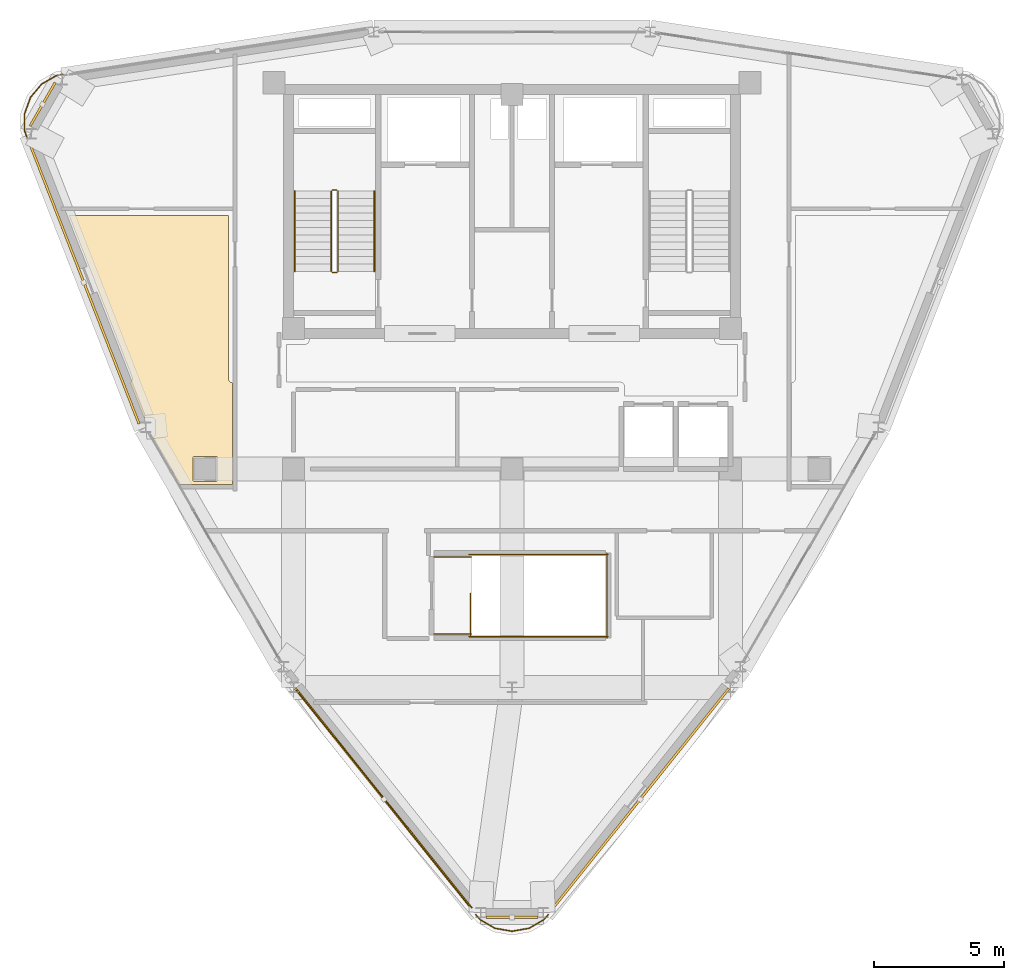
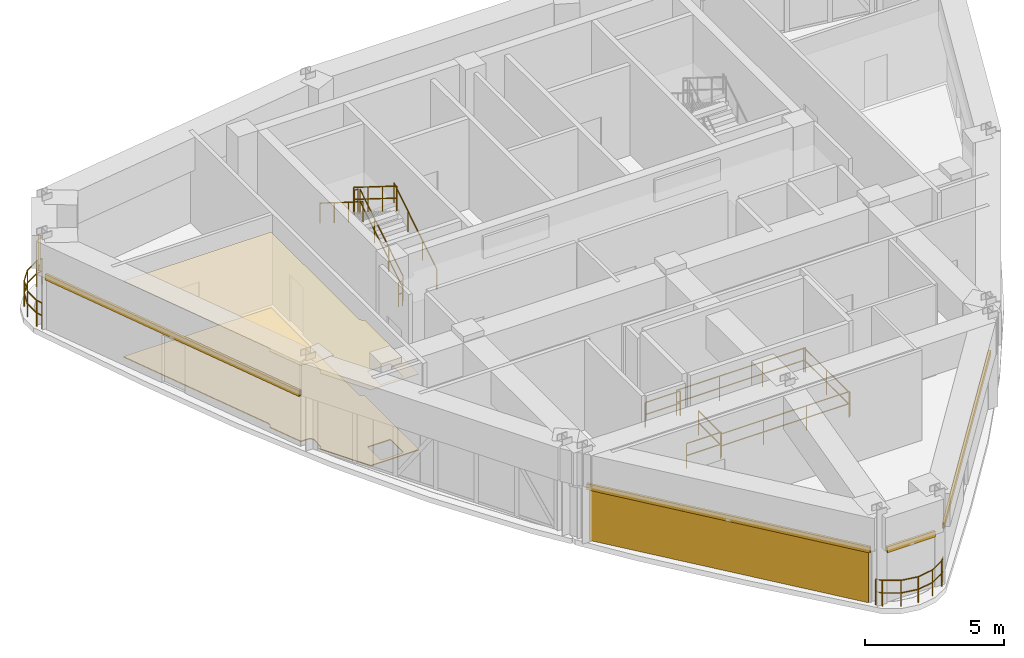
# One storey, part 15 of 16: 15 railings, 5 shading devices, 3 coverings.
"""IFC4 building model written with IfcOpenShell, lengths in metres."""

from ifc_helpers import new_model, si_unit, derived_unit, direction, frame, origin, origin_2d, place, context, subcontext, project, spatial, polyline, hollow_rectangle, circle, outline, extrude, source, transform, mapped, material, layer, layer_set, material_profile, profile_set, type_object, element, save


model = new_model("IFC4")

# Units and contexts
model_context = context("Model", 3, precision=1e-05, world=origin(), true_north=direction((0.0, 1.0)))
body_context = subcontext(model_context, "Body", "Model", "MODEL_VIEW")
ifc_project = project(units=[si_unit("LENGTHUNIT", "METRE"), si_unit("AREAUNIT", "SQUARE_METRE"), si_unit("VOLUMEUNIT", "CUBIC_METRE"), si_unit("PLANEANGLEUNIT", "RADIAN"), si_unit("MASSUNIT", "GRAM", prefix="KILO"), derived_unit("THERMALTRANSMITTANCEUNIT", [(si_unit("POWERUNIT", "WATT"), 1), (si_unit("LENGTHUNIT", "METRE"), -2), (si_unit("THERMODYNAMICTEMPERATUREUNIT", "KELVIN"), -1)])], contexts=[model_context])

# Site, building, storey
site_placement = place(None, origin())
site = spatial("IfcSite", under=ifc_project, at=site_placement, CompositionType="ELEMENT")
building_placement = place(site_placement, origin())
building = spatial("IfcBuilding", under=site, at=building_placement, Name="Korsvarv Bourse and Concert Hall", CompositionType="ELEMENT")
storey_placement = place(building_placement, frame((0.0, 0.0, 288.0)))
storey = spatial("IfcBuildingStorey", under=building, at=storey_placement, Name="L75", CompositionType="ELEMENT", Elevation=288.0)

# Coverings
ifc_material_1 = material(Name="Perforated mineral-wool and birch acoustic baffle ceiling", Category="wood")
ifc_layer_1 = layer(ifc_material_1, 0.02490234375)
ifc_layer_set_1 = layer_set([ifc_layer_1], Name="Perforated mineral-wool and birch acoustic baffle ceiling")
covering_type_1 = type_object("IfcCoveringType", Name="COV-CEIL-1", PredefinedType="CEILING", material=ifc_layer_set_1)
covering_1_placement = place(storey_placement, frame((0.0, 0.0, 3.330078125)))
element("IfcCovering", 1, at=covering_1_placement, inside=storey, type_object=covering_type_1, Name="L75 acoustic baffle ceiling 2", PredefinedType="CEILING", context=body_context, shape_type="SweptSolid", body=[
    extrude(outline(polyline([(21.30908203125, 35.723876953125), (21.337890625, 35.745361328125), (21.362060546875, 35.772216796875), (21.380126953125, 35.802978515625), (21.391845703125, 35.837158203125), (21.396484375, 35.872802734375), (21.393798828125, 35.90869140625), (21.38427734375, 35.943359375), (18.967529296875, 42.14990234375), (25.090087890625, 42.14990234375), (25.090087890625, 35.889892578125), (25.09375, 35.853759765625), (25.1044921875, 35.819091796875), (25.122314453125, 35.787109375), (25.14599609375, 35.759521484375), (25.1748046875, 35.7373046875), (25.20751953125, 35.72119140625), (25.24267578125, 35.712158203125), (25.25, 31.81005859375), (23.32080078125, 31.81005859375), (23.283935546875, 31.80615234375), (23.25, 31.79541015625), (22.192626953125, 33.627197265625), (22.22314453125, 33.64697265625), (22.248046875, 33.671142578125), (22.267578125, 33.69970703125), (22.281494140625, 33.731689453125), (22.2890625, 33.765625), (22.30029296875, 34.19189453125), (22.297607421875, 34.22705078125), (22.288330078125, 34.260986328125), (22.2724609375, 34.29248046875), (22.250732421875, 34.3203125), (22.22412109375, 34.343505859375), (22.193359375, 34.36083984375), (22.159912109375, 34.371826171875), (22.124755859375, 34.376220703125), (21.832763671875, 34.38330078125), (21.30908203125, 35.723876953125)]), holes=[polyline([(23.76513671875, 31.926025390625), (24.625, 31.925048828125), (24.648681640625, 31.930908203125), (24.66650390625, 31.947265625), (24.6748046875, 31.97021484375), (24.675048828125, 32.824951171875), (24.669189453125, 32.8486328125), (24.65283203125, 32.86669921875), (24.6298828125, 32.874755859375), (23.77490234375, 32.875), (23.75146484375, 32.869140625), (23.7333984375, 32.852783203125), (23.72509765625, 32.829833984375), (23.72509765625, 31.97509765625), (23.73095703125, 31.951416015625), (23.76513671875, 31.926025390625)])]), origin(), (0.0, 0.0, 1.0), 0.02490234375),
])
ifc_material_2 = material(Name="Warm iron-oxide extruded terracotta rainscreen tile", Category="ceramic")
ifc_layer_2 = layer(ifc_material_2, 0.044921875)
ifc_layer_set_2 = layer_set([ifc_layer_2], Name="Warm iron-oxide extruded terracotta rainscreen tile")
covering_type_2 = type_object("IfcCoveringType", Name="COV-CLD-TC", PredefinedType="CLADDING", material=ifc_layer_set_2)
covering_2_placement = place(storey_placement, origin())
element("IfcCovering", 2, at=covering_2_placement, inside=storey, type_object=covering_type_2, Name="L75 fluted terracotta cladding panel EW-L75-B08-2", PredefinedType="CLADDING", context=body_context, shape_type="SweptSolid", body=[
    extrude(outline(polyline([(27.750244140625, 23.921875), (34.477783203125, 15.52490234375), (34.442626953125, 15.496826171875), (27.715087890625, 23.8935546875), (27.750244140625, 23.921875)])), origin(), (0.0, 0.0, 1.0), 2.18994140625),
])
ifc_material_3 = material(Name="Calcium-sulphate raised access trading floor with Nordic oak top", Category="wood")
ifc_layer_3 = layer(ifc_material_3, 0.0400390625)
ifc_layer_set_3 = layer_set([ifc_layer_3], Name="Calcium-sulphate raised access trading floor with Nordic oak top")
covering_type_3 = type_object("IfcCoveringType", Name="COV-FLOR-1", PredefinedType="FLOORING", material=ifc_layer_set_3)
covering_3_placement = place(storey_placement, origin())
element("IfcCovering", 3, at=covering_3_placement, inside=storey, type_object=covering_type_3, Name="L75 raised access oak floor finish 2", PredefinedType="FLOORING", context=body_context, shape_type="SweptSolid", body=[
    extrude(outline(polyline([(21.30908203125, 35.723876953125), (21.337890625, 35.745361328125), (21.362060546875, 35.772216796875), (21.380126953125, 35.802978515625), (21.391845703125, 35.837158203125), (21.396484375, 35.872802734375), (21.393798828125, 35.90869140625), (21.38427734375, 35.943359375), (18.967529296875, 42.14990234375), (25.090087890625, 42.14990234375), (25.090087890625, 35.889892578125), (25.09375, 35.853759765625), (25.1044921875, 35.819091796875), (25.122314453125, 35.787109375), (25.14599609375, 35.759521484375), (25.1748046875, 35.7373046875), (25.20751953125, 35.72119140625), (25.24267578125, 35.712158203125), (25.25, 31.81005859375), (23.32080078125, 31.81005859375), (23.283935546875, 31.80615234375), (23.25, 31.79541015625), (22.192626953125, 33.627197265625), (22.22314453125, 33.64697265625), (22.248046875, 33.671142578125), (22.267578125, 33.69970703125), (22.281494140625, 33.731689453125), (22.2890625, 33.765625), (22.30029296875, 34.19189453125), (22.297607421875, 34.22705078125), (22.288330078125, 34.260986328125), (22.2724609375, 34.29248046875), (22.250732421875, 34.3203125), (22.22412109375, 34.343505859375), (22.193359375, 34.36083984375), (22.159912109375, 34.371826171875), (22.124755859375, 34.376220703125), (21.832763671875, 34.38330078125), (21.30908203125, 35.723876953125)]), holes=[polyline([(23.76513671875, 31.926025390625), (24.625, 31.925048828125), (24.648681640625, 31.930908203125), (24.66650390625, 31.947265625), (24.6748046875, 31.97021484375), (24.675048828125, 32.824951171875), (24.669189453125, 32.8486328125), (24.65283203125, 32.86669921875), (24.6298828125, 32.874755859375), (23.77490234375, 32.875), (23.75146484375, 32.869140625), (23.7333984375, 32.852783203125), (23.72509765625, 32.829833984375), (23.72509765625, 31.97509765625), (23.73095703125, 31.951416015625), (23.76513671875, 31.926025390625)])]), origin(), (0.0, 0.0, 1.0), 0.0400390625),
])

# Railings
ifc_material_4 = material(Name="Laminated safety glass and stainless Steel S355 balustrade", Category="steel")
railing_type_1 = type_object("IfcRailingType", Name="RL-BAL-EXT", PredefinedType="BALUSTRADE", material=ifc_material_4)
railing_1_placement = place(storey_placement, frame((17.25732421875, 46.06396484375, 0.0)))
element("IfcRailing", 4, at=railing_1_placement, inside=storey, type_object=railing_type_1, Name="L75 terrace perimeter balustrade SKYG1-1", PredefinedType="BALUSTRADE", context=body_context, shape_type="SweptSolid", body=[
    extrude(circle(Radius=0.02392578125, at=origin_2d()), frame((0.0, 0.0, 1.1259765625), z_axis=(0.342184740567, 0.939632695963, 0.0), x_axis=(-0.939632695963, 0.342184740567, 0.0)), (0.0, 0.0, 1.0), 0.665771484375),
    extrude(circle(Radius=0.02392578125, at=origin_2d()), frame((0.0, 0.0, 0.574951171875), z_axis=(0.342184740567, 0.939632695963, 0.0), x_axis=(-0.939632695963, 0.342184740567, 0.0)), (0.0, 0.0, 1.0), 0.665771484375),
    extrude(circle(Radius=0.02392578125, at=origin_2d()), frame((0.227783203125, 0.62548828125, 1.1259765625), z_axis=(0.642633088198, 0.76617407549, 0.0), x_axis=(-0.76617407549, 0.642633088198, 0.0)), (0.0, 0.0, 1.0), 0.666015625),
    extrude(circle(Radius=0.02392578125, at=origin_2d()), frame((0.227783203125, 0.62548828125, 0.574951171875), z_axis=(0.642633088198, 0.76617407549, 0.0), x_axis=(-0.76617407549, 0.642633088198, 0.0)), (0.0, 0.0, 1.0), 0.666015625),
    extrude(circle(Radius=0.02392578125, at=origin_2d()), frame((0.65576171875, 1.1357421875, 1.1259765625), z_axis=(0.866136743332, 0.499807104641, 0.0), x_axis=(-0.499807104641, 0.866136743332, 0.0)), (0.0, 0.0, 1.0), 0.665771484375),
    extrude(circle(Radius=0.02392578125, at=origin_2d()), frame((0.65576171875, 1.1357421875, 0.574951171875), z_axis=(0.866136743332, 0.499807104641, 0.0), x_axis=(-0.499807104641, 0.866136743332, 0.0)), (0.0, 0.0, 1.0), 0.665771484375),
    extrude(circle(Radius=0.02392578125, at=origin_2d()), frame((1.232421875, 1.468505859375, 1.1259765625), z_axis=(0.984725074831, 0.174116417947, 0.0), x_axis=(-0.174116417947, 0.984725074831, 0.0)), (0.0, 0.0, 1.0), 0.25244140625),
    extrude(circle(Radius=0.02392578125, at=origin_2d()), frame((1.232421875, 1.468505859375, 0.574951171875), z_axis=(0.984725074831, 0.174116417947, 0.0), x_axis=(-0.174116417947, 0.984725074831, 0.0)), (0.0, 0.0, 1.0), 0.25244140625),
    extrude(circle(Radius=0.02099609375, at=origin_2d()), origin(), (0.0, 0.0, 1.0), 1.101806640625),
    extrude(circle(Radius=0.02099609375, at=origin_2d()), frame((0.227783203125, 0.62548828125, 0.0)), (0.0, 0.0, 1.0), 1.101806640625),
    extrude(circle(Radius=0.02099609375, at=origin_2d()), frame((0.65576171875, 1.1357421875, 0.0)), (0.0, 0.0, 1.0), 1.101806640625),
    extrude(circle(Radius=0.02099609375, at=origin_2d()), frame((1.232421875, 1.468505859375, 0.0)), (0.0, 0.0, 1.0), 1.101806640625),
    extrude(circle(Radius=0.02099609375, at=origin_2d()), frame((1.48095703125, 1.512451171875, 0.0)), (0.0, 0.0, 1.0), 1.101806640625),
])
railing_2_placement = place(storey_placement, frame((17.34375, 45.160888671875, 0.0)))
element("IfcRailing", 5, at=railing_2_placement, inside=storey, type_object=railing_type_1, Name="L75 terrace perimeter balustrade SKYG1-2", PredefinedType="BALUSTRADE", context=body_context, shape_type="SweptSolid", body=[
    extrude(circle(Radius=0.02392578125, at=origin_2d()), frame((0.0, 0.0, 1.1259765625), z_axis=(-0.342519827451, 0.939510600155, 0.0), x_axis=(-0.939510600155, -0.342519827451, 0.0)), (0.0, 0.0, 1.0), 0.25244140625),
    extrude(circle(Radius=0.02392578125, at=origin_2d()), frame((0.0, 0.0, 0.574951171875), z_axis=(-0.342519827451, 0.939510600155, 0.0), x_axis=(-0.939510600155, -0.342519827451, 0.0)), (0.0, 0.0, 1.0), 0.25244140625),
    extrude(circle(Radius=0.02392578125, at=origin_2d()), frame((-0.08642578125, 0.237060546875, 1.1259765625), z_axis=(0.0, 1.0, 0.0), x_axis=(-1.0, 0.0, 0.0)), (0.0, 0.0, 1.0), 0.666015625),
    extrude(circle(Radius=0.02392578125, at=origin_2d()), frame((-0.08642578125, 0.237060546875, 0.574951171875), z_axis=(0.0, 1.0, 0.0), x_axis=(-1.0, 0.0, 0.0)), (0.0, 0.0, 1.0), 0.666015625),
    extrude(circle(Radius=0.02099609375, at=origin_2d()), origin(), (0.0, 0.0, 1.0), 1.101806640625),
    extrude(circle(Radius=0.02099609375, at=origin_2d()), frame((-0.08642578125, 0.237060546875, 0.0)), (0.0, 0.0, 1.0), 1.101806640625),
    extrude(circle(Radius=0.02099609375, at=origin_2d()), frame((-0.08642578125, 0.903076171875, 0.0)), (0.0, 0.0, 1.0), 1.101806640625),
])
railing_3_placement = place(storey_placement, frame((37.394287109375, 15.2626953125, 0.0)))
element("IfcRailing", 6, at=railing_3_placement, inside=storey, type_object=railing_type_1, Name="L75 terrace perimeter balustrade SKYG3-1", PredefinedType="BALUSTRADE", context=body_context, shape_type="SweptSolid", body=[
    extrude(circle(Radius=0.02392578125, at=origin_2d()), frame((0.0, 0.0, 1.1259765625), z_axis=(-0.642373707655, -0.7663915577, 0.0), x_axis=(0.7663915577, -0.642373707655, 0.0)), (0.0, 0.0, 1.0), 0.251953125),
    extrude(circle(Radius=0.02392578125, at=origin_2d()), frame((0.0, 0.0, 0.574951171875), z_axis=(-0.642373707655, -0.7663915577, 0.0), x_axis=(0.7663915577, -0.642373707655, 0.0)), (0.0, 0.0, 1.0), 0.251953125),
    extrude(circle(Radius=0.02392578125, at=origin_2d()), frame((-0.161865234375, -0.193115234375, 1.1259765625), z_axis=(-0.865886254366, -0.500240936449, 0.0), x_axis=(0.500240936449, -0.865886254366, 0.0)), (0.0, 0.0, 1.0), 0.665771484375),
    extrude(circle(Radius=0.02392578125, at=origin_2d()), frame((-0.161865234375, -0.193115234375, 0.574951171875), z_axis=(-0.865886254366, -0.500240936449, 0.0), x_axis=(0.500240936449, -0.865886254366, 0.0)), (0.0, 0.0, 1.0), 0.665771484375),
    extrude(circle(Radius=0.02392578125, at=origin_2d()), frame((-0.73828125, -0.526123046875, 1.1259765625), z_axis=(-0.984794625715, -0.173722609821, 0.0), x_axis=(0.173722609821, -0.984794625715, 0.0)), (0.0, 0.0, 1.0), 0.666015625),
    extrude(circle(Radius=0.02392578125, at=origin_2d()), frame((-0.73828125, -0.526123046875, 0.574951171875), z_axis=(-0.984794625715, -0.173722609821, 0.0), x_axis=(0.173722609821, -0.984794625715, 0.0)), (0.0, 0.0, 1.0), 0.666015625),
    extrude(circle(Radius=0.02392578125, at=origin_2d()), frame((-1.394287109375, -0.641845703125, 1.1259765625), z_axis=(-0.984794625715, 0.173722609821, 0.0), x_axis=(-0.173722609821, -0.984794625715, 0.0)), (0.0, 0.0, 1.0), 0.666015625),
    extrude(circle(Radius=0.02392578125, at=origin_2d()), frame((-1.394287109375, -0.641845703125, 0.574951171875), z_axis=(-0.984794625715, 0.173722609821, 0.0), x_axis=(-0.173722609821, -0.984794625715, 0.0)), (0.0, 0.0, 1.0), 0.666015625),
    extrude(circle(Radius=0.02392578125, at=origin_2d()), frame((-2.05029296875, -0.526123046875, 1.1259765625), z_axis=(-0.865886254366, 0.500240936449, 0.0), x_axis=(-0.500240936449, -0.865886254366, 0.0)), (0.0, 0.0, 1.0), 0.665771484375),
    extrude(circle(Radius=0.02392578125, at=origin_2d()), frame((-2.05029296875, -0.526123046875, 0.574951171875), z_axis=(-0.865886254366, 0.500240936449, 0.0), x_axis=(-0.500240936449, -0.865886254366, 0.0)), (0.0, 0.0, 1.0), 0.665771484375),
    extrude(circle(Radius=0.02392578125, at=origin_2d()), frame((-2.626708984375, -0.193115234375, 1.1259765625), z_axis=(-0.642942259705, 0.765914649739, 0.0), x_axis=(-0.765914649739, -0.642942259705, 0.0)), (0.0, 0.0, 1.0), 0.252197265625),
    extrude(circle(Radius=0.02392578125, at=origin_2d()), frame((-2.626708984375, -0.193115234375, 0.574951171875), z_axis=(-0.642942259705, 0.765914649739, 0.0), x_axis=(-0.765914649739, -0.642942259705, 0.0)), (0.0, 0.0, 1.0), 0.252197265625),
    extrude(circle(Radius=0.02099609375, at=origin_2d()), origin(), (0.0, 0.0, 1.0), 1.101806640625),
    extrude(circle(Radius=0.02099609375, at=origin_2d()), frame((-0.161865234375, -0.193115234375, 0.0)), (0.0, 0.0, 1.0), 1.101806640625),
    extrude(circle(Radius=0.02099609375, at=origin_2d()), frame((-0.73828125, -0.526123046875, 0.0)), (0.0, 0.0, 1.0), 1.101806640625),
    extrude(circle(Radius=0.02099609375, at=origin_2d()), frame((-1.394287109375, -0.641845703125, 0.0)), (0.0, 0.0, 1.0), 1.101806640625),
    extrude(circle(Radius=0.02099609375, at=origin_2d()), frame((-2.05029296875, -0.526123046875, 0.0)), (0.0, 0.0, 1.0), 1.101806640625),
    extrude(circle(Radius=0.02099609375, at=origin_2d()), frame((-2.626708984375, -0.193115234375, 0.0)), (0.0, 0.0, 1.0), 1.101806640625),
    extrude(circle(Radius=0.02099609375, at=origin_2d()), frame((-2.788818359375, 0.0, 0.0)), (0.0, 0.0, 1.0), 1.101806640625),
])
ifc_material_5 = material(Name="Painted Steel S355 stair well guardrail", Category="steel")
railing_type_2 = type_object("IfcRailingType", Name="RL-ST-GRD", PredefinedType="GUARDRAIL", material=ifc_material_5)
railing_4_placement = place(storey_placement, frame((29.31005859375, 40.0, 0.175048828125)))
element("IfcRailing", 7, at=railing_4_placement, inside=storey, type_object=railing_type_2, Name="L75 ST-T1 stair guard 1", PredefinedType="GUARDRAIL", context=body_context, shape_type="SweptSolid", body=[
    extrude(circle(Radius=0.02392578125, at=origin_2d()), frame((0.0, 0.0, 1.076171875), z_axis=(0.0, 0.847998304005, 0.529998940003), x_axis=(-1.0, 0.0, 0.0)), (0.0, 0.0, 1.0), 3.632080078125),
    extrude(circle(Radius=0.02392578125, at=origin_2d()), frame((0.0, 0.0, 0.550048828125), z_axis=(0.0, 0.847998304005, 0.529998940003), x_axis=(-1.0, 0.0, 0.0)), (0.0, 0.0, 1.0), 3.632080078125),
    extrude(circle(Radius=0.02099609375, at=origin_2d()), origin(), (0.0, 0.0, 1.0), 1.052001953125),
    extrude(circle(Radius=0.02099609375, at=origin_2d()), frame((0.0, 1.026611328125, 0.6416015625)), (0.0, 0.0, 1.0), 1.052001953125),
    extrude(circle(Radius=0.02099609375, at=origin_2d()), frame((0.0, 2.053466796875, 1.283447265625)), (0.0, 0.0, 1.0), 1.052001953125),
    extrude(circle(Radius=0.02099609375, at=origin_2d()), frame((0.0, 3.080078125, 1.925048828125)), (0.0, 0.0, 1.0), 1.052001953125),
])
railing_5_placement = place(storey_placement, frame((29.260009765625, 43.1298828125, 2.10009765625)))
element("IfcRailing", 8, at=railing_5_placement, inside=storey, type_object=railing_type_2, Name="L75 ST-T1 stair guard 2", PredefinedType="GUARDRAIL", context=body_context, shape_type="SweptSolid", body=[
    extrude(circle(Radius=0.02392578125, at=origin_2d()), frame((0.0, 0.0, 1.076171875), z_axis=(-1.0, 0.0, 0.0), x_axis=(0.0, -1.0, 0.0)), (0.0, 0.0, 1.0), 0.159912109375),
    extrude(circle(Radius=0.02392578125, at=origin_2d()), frame((0.0, 0.0, 0.550048828125), z_axis=(-1.0, 0.0, 0.0), x_axis=(0.0, -1.0, 0.0)), (0.0, 0.0, 1.0), 0.159912109375),
    extrude(circle(Radius=0.02099609375, at=origin_2d()), origin(), (0.0, 0.0, 1.0), 1.052001953125),
    extrude(circle(Radius=0.02099609375, at=origin_2d()), frame((-0.159912109375, 0.0, 0.0)), (0.0, 0.0, 1.0), 1.052001953125),
])
railing_6_placement = place(storey_placement, frame((29.050048828125, 43.080078125, 2.27490234375)))
element("IfcRailing", 9, at=railing_6_placement, inside=storey, type_object=railing_type_2, Name="L75 ST-T1 stair guard 3", PredefinedType="GUARDRAIL", context=body_context, shape_type="SweptSolid", body=[
    extrude(circle(Radius=0.02392578125, at=origin_2d()), frame((0.0, 0.0, 1.076171875), z_axis=(0.0, -0.847998304005, 0.529998940003), x_axis=(1.0, 0.0, 0.0)), (0.0, 0.0, 1.0), 3.632080078125),
    extrude(circle(Radius=0.02392578125, at=origin_2d()), frame((0.0, 0.0, 0.550048828125), z_axis=(0.0, -0.847998304005, 0.529998940003), x_axis=(1.0, 0.0, 0.0)), (0.0, 0.0, 1.0), 3.632080078125),
    extrude(circle(Radius=0.02099609375, at=origin_2d()), origin(), (0.0, 0.0, 1.0), 1.052001953125),
    extrude(circle(Radius=0.02099609375, at=origin_2d()), frame((0.0, -1.026611328125, 0.6416015625)), (0.0, 0.0, 1.0), 1.052001953125),
    extrude(circle(Radius=0.02099609375, at=origin_2d()), frame((0.0, -2.053466796875, 1.283447265625)), (0.0, 0.0, 1.0), 1.052001953125),
    extrude(circle(Radius=0.02099609375, at=origin_2d()), frame((0.0, -3.080078125, 1.925048828125)), (0.0, 0.0, 1.0), 1.052001953125),
])
railing_7_placement = place(storey_placement, frame((29.260009765625, 39.949951171875, 0.0)))
element("IfcRailing", 10, at=railing_7_placement, inside=storey, type_object=railing_type_2, Name="L75 ST-T1 stair guard 4", PredefinedType="GUARDRAIL", context=body_context, shape_type="SweptSolid", body=[
    extrude(circle(Radius=0.02392578125, at=origin_2d()), frame((0.0, 0.0, 1.076171875), z_axis=(-1.0, 0.0, 0.0), x_axis=(0.0, -1.0, 0.0)), (0.0, 0.0, 1.0), 0.159912109375),
    extrude(circle(Radius=0.02392578125, at=origin_2d()), frame((0.0, 0.0, 0.550048828125), z_axis=(-1.0, 0.0, 0.0), x_axis=(0.0, -1.0, 0.0)), (0.0, 0.0, 1.0), 0.159912109375),
    extrude(circle(Radius=0.02099609375, at=origin_2d()), origin(), (0.0, 0.0, 1.0), 1.052001953125),
    extrude(circle(Radius=0.02099609375, at=origin_2d()), frame((-0.159912109375, 0.0, 0.0)), (0.0, 0.0, 1.0), 1.052001953125),
])
railing_8_placement = place(storey_placement, frame((34.39990234375, 26.0, 0.0)))
element("IfcRailing", 11, at=railing_8_placement, inside=storey, type_object=railing_type_2, Name="L75 ST-LK1 top well guard 1", PredefinedType="GUARDRAIL", context=body_context, shape_type="SweptSolid", body=[
    extrude(circle(Radius=0.02392578125, at=origin_2d()), frame((0.0, 0.0, 1.076171875), z_axis=(0.0, 1.0, 0.0), x_axis=(-1.0, 0.0, 0.0)), (0.0, 0.0, 1.0), 1.610107421875),
    extrude(circle(Radius=0.02392578125, at=origin_2d()), frame((0.0, 0.0, 0.550048828125), z_axis=(0.0, 1.0, 0.0), x_axis=(-1.0, 0.0, 0.0)), (0.0, 0.0, 1.0), 1.610107421875),
    extrude(circle(Radius=0.02099609375, at=origin_2d()), origin(), (0.0, 0.0, 1.0), 1.052001953125),
    extrude(circle(Radius=0.02099609375, at=origin_2d()), frame((0.0, 1.610107421875, 0.0)), (0.0, 0.0, 1.0), 1.052001953125),
])
for number, where, name in (
    (12, (34.35009765625, 25.949951171875, 0.0), "L75 ST-LK1 top well guard 2"),
    (13, (34.35009765625, 29.110107421875, 0.0), "L75 ST-LK1 top well guard 3"),
):
    element("IfcRailing", number, at=place(storey_placement, frame(where)), inside=storey, type_object=railing_type_2, Name=name, PredefinedType="GUARDRAIL", context=body_context, shape_type="SweptSolid", body=[
        extrude(circle(Radius=0.02392578125, at=origin_2d()), frame((0.0, 0.0, 1.076171875), z_axis=(1.0, 0.0, 0.0), x_axis=(0.0, 1.0, 0.0)), (0.0, 0.0, 1.0), 5.349853515625),
        extrude(circle(Radius=0.02392578125, at=origin_2d()), frame((0.0, 0.0, 0.550048828125), z_axis=(1.0, 0.0, 0.0), x_axis=(0.0, 1.0, 0.0)), (0.0, 0.0, 1.0), 5.349853515625),
        extrude(circle(Radius=0.02099609375, at=origin_2d()), origin(), (0.0, 0.0, 1.0), 1.052001953125),
        extrude(circle(Radius=0.02099609375, at=origin_2d()), frame((1.783203125, 0.0, 0.0)), (0.0, 0.0, 1.0), 1.052001953125),
        extrude(circle(Radius=0.02099609375, at=origin_2d()), frame((3.566650390625, 0.0, 0.0)), (0.0, 0.0, 1.0), 1.052001953125),
        extrude(circle(Radius=0.02099609375, at=origin_2d()), frame((5.349853515625, 0.0, 0.0)), (0.0, 0.0, 1.0), 1.052001953125),
    ])
railing_9_placement = place(storey_placement, frame((39.64990234375, 25.89990234375, 0.0)))
element("IfcRailing", 14, at=railing_9_placement, inside=storey, type_object=railing_type_2, Name="L75 ST-LK1 top well guard 4", PredefinedType="GUARDRAIL", context=body_context, shape_type="SweptSolid", body=[
    extrude(circle(Radius=0.02392578125, at=origin_2d()), frame((0.0, 0.0, 1.076171875), z_axis=(0.0, 1.0, 0.0), x_axis=(-1.0, 0.0, 0.0)), (0.0, 0.0, 1.0), 3.260009765625),
    extrude(circle(Radius=0.02392578125, at=origin_2d()), frame((0.0, 0.0, 0.550048828125), z_axis=(0.0, 1.0, 0.0), x_axis=(-1.0, 0.0, 0.0)), (0.0, 0.0, 1.0), 3.260009765625),
    extrude(circle(Radius=0.02099609375, at=origin_2d()), origin(), (0.0, 0.0, 1.0), 1.052001953125),
    extrude(circle(Radius=0.02099609375, at=origin_2d()), frame((0.0, 1.6298828125, 0.0)), (0.0, 0.0, 1.0), 1.052001953125),
    extrude(circle(Radius=0.02099609375, at=origin_2d()), frame((0.0, 3.260009765625, 0.0)), (0.0, 0.0, 1.0), 1.052001953125),
])
for number, where, name in (
    (15, (33.0, 26.050048828125, 0.0), "L75 ST-LK1 top well guard 5"),
    (16, (33.0, 29.010009765625, 0.0), "L75 ST-LK1 top well guard 6"),
):
    element("IfcRailing", number, at=place(storey_placement, frame(where)), inside=storey, type_object=railing_type_2, Name=name, PredefinedType="GUARDRAIL", context=body_context, shape_type="SweptSolid", body=[
        extrude(circle(Radius=0.02392578125, at=origin_2d()), frame((0.0, 0.0, 1.076171875), z_axis=(1.0, 0.0, 0.0), x_axis=(0.0, 1.0, 0.0)), (0.0, 0.0, 1.0), 1.449951171875),
        extrude(circle(Radius=0.02392578125, at=origin_2d()), frame((0.0, 0.0, 0.550048828125), z_axis=(1.0, 0.0, 0.0), x_axis=(0.0, 1.0, 0.0)), (0.0, 0.0, 1.0), 1.449951171875),
        extrude(circle(Radius=0.02099609375, at=origin_2d()), origin(), (0.0, 0.0, 1.0), 1.052001953125),
        extrude(circle(Radius=0.02099609375, at=origin_2d()), frame((1.449951171875, 0.0, 0.0)), (0.0, 0.0, 1.0), 1.052001953125),
    ])
ifc_material_6 = material(Name="Brushed stainless Steel S355 tubular handrail", Category="steel")
railing_type_3 = type_object("IfcRailingType", Name="RL-ST-HND", PredefinedType="HANDRAIL", material=ifc_material_6)
railing_10_placement = place(storey_placement, frame((30.7099609375, 40.0, 0.175048828125)))
element("IfcRailing", 17, at=railing_10_placement, inside=storey, type_object=railing_type_3, Name="L75 ST-T1 stair handrail 1", PredefinedType="HANDRAIL", context=body_context, shape_type="SweptSolid", body=[
    extrude(circle(Radius=0.02392578125, at=origin_2d()), frame((0.0, 0.0, 0.8759765625), z_axis=(0.0, 0.847998304005, 0.529998940003), x_axis=(-1.0, 0.0, 0.0)), (0.0, 0.0, 1.0), 3.632080078125),
    extrude(circle(Radius=0.02099609375, at=origin_2d()), origin(), (0.0, 0.0, 1.0), 0.851806640625),
    extrude(circle(Radius=0.02099609375, at=origin_2d()), frame((0.0, 1.026611328125, 0.6416015625)), (0.0, 0.0, 1.0), 0.851806640625),
    extrude(circle(Radius=0.02099609375, at=origin_2d()), frame((0.0, 2.053466796875, 1.283447265625)), (0.0, 0.0, 1.0), 0.851806640625),
    extrude(circle(Radius=0.02099609375, at=origin_2d()), frame((0.0, 3.080078125, 1.925048828125)), (0.0, 0.0, 1.0), 0.851806640625),
])
railing_11_placement = place(storey_placement, frame((27.64990234375, 43.080078125, 2.27490234375)))
element("IfcRailing", 18, at=railing_11_placement, inside=storey, type_object=railing_type_3, Name="L75 ST-T1 stair handrail 2", PredefinedType="HANDRAIL", context=body_context, shape_type="SweptSolid", body=[
    extrude(circle(Radius=0.02392578125, at=origin_2d()), frame((0.0, 0.0, 0.8759765625), z_axis=(0.0, -0.847998304005, 0.529998940003), x_axis=(1.0, 0.0, 0.0)), (0.0, 0.0, 1.0), 3.632080078125),
    extrude(circle(Radius=0.02099609375, at=origin_2d()), origin(), (0.0, 0.0, 1.0), 0.851806640625),
    extrude(circle(Radius=0.02099609375, at=origin_2d()), frame((0.0, -1.026611328125, 0.6416015625)), (0.0, 0.0, 1.0), 0.851806640625),
    extrude(circle(Radius=0.02099609375, at=origin_2d()), frame((0.0, -2.053466796875, 1.283447265625)), (0.0, 0.0, 1.0), 0.851806640625),
    extrude(circle(Radius=0.02099609375, at=origin_2d()), frame((0.0, -3.080078125, 1.925048828125)), (0.0, 0.0, 1.0), 0.851806640625),
])

# Shading devices
ifc_material_7 = material(Name="Glazed extruded architectural terracotta", Category="ceramic")
ifc_material_profile = material_profile(ifc_material_7, hollow_rectangle(XDim=0.090087890625, YDim=0.260009765625, WallThickness=0.011962890625, at=origin_2d()), Name="TC-BAG 90x260")
ifc_profile_set = profile_set([ifc_material_profile], Name="Glazed extruded architectural terracotta")
shading_device_type = type_object("IfcShadingDeviceType", Name="SHD-BAG-1", PredefinedType="USERDEFINED", material=ifc_profile_set)
shared_shape_1 = source(origin(), body_context, "Body", "SweptSolid", [
    extrude(hollow_rectangle(XDim=0.090087890625, YDim=0.260009765625, WallThickness=0.011962890625, at=origin_2d()), origin(), (0.0, 0.0, 1.0), 1.93359375),
])
shading_device_1_placement = place(storey_placement, frame((18.43310546875, 47.258544921875, 2.35009765625), z_axis=(-0.499995691662, -0.86602789119, 0.0), x_axis=(0.86602789119, -0.499995691662, 0.0)))
element("IfcShadingDevice", 19, at=shading_device_1_placement, inside=storey, type_object=shading_device_type, Name="L75 terracotta baguette sunshade EW-L75-B05", ObjectType="BAGUETTE", PredefinedType="USERDEFINED", context=body_context, shape_type="MappedRepresentation", body=[
    mapped(shared_shape_1, transform((0.0, 0.0, 0.0), scale=1.0)),
])
shared_shape_2 = source(origin(), body_context, "Body", "SweptSolid", [
    extrude(hollow_rectangle(XDim=0.090087890625, YDim=0.260009765625, WallThickness=0.011962890625, at=origin_2d()), origin(), (0.0, 0.0, 1.0), 11.678955078125),
])
shading_device_2_placement = place(storey_placement, frame((17.415771484375, 45.015380859375, 2.35009765625), z_axis=(0.363212817612, -0.931706203222, 0.0), x_axis=(0.931706203222, 0.363212817612, 0.0)))
element("IfcShadingDevice", 20, at=shading_device_2_placement, inside=storey, type_object=shading_device_type, Name="L75 terracotta baguette sunshade EW-L75-B06", ObjectType="BAGUETTE", PredefinedType="USERDEFINED", context=body_context, shape_type="MappedRepresentation", body=[
    mapped(shared_shape_2, transform((0.0, 0.0, 0.0), scale=1.0)),
])
shared_shape_3 = source(origin(), body_context, "Body", "SweptSolid", [
    extrude(hollow_rectangle(XDim=0.090087890625, YDim=0.260009765625, WallThickness=0.011962890625, at=origin_2d()), origin(), (0.0, 0.0, 1.0), 10.91943359375),
])
for number, where, z_axis, x_axis, name in (
    (21, (27.6689453125, 23.959228515625, 2.35009765625), (0.625267465869, -0.780410530507, 0.0), (0.780410530507, 0.625267465869, 0.0), "L75 terracotta baguette sunshade EW-L75-B08-2"),
    (22, (37.51123046875, 15.43115234375, 2.35009765625), (0.625267465869, 0.780410530507, 0.0), (-0.780410530507, 0.625267465869, 0.0), "L75 terracotta baguette sunshade EW-L75-B10-1"),
):
    element("IfcShadingDevice", number, at=place(storey_placement, frame(where, z_axis=z_axis, x_axis=x_axis)), inside=storey, type_object=shading_device_type, Name=name, ObjectType="BAGUETTE", PredefinedType="USERDEFINED", context=body_context, shape_type="MappedRepresentation", body=[
        mapped(shared_shape_3, transform((0.0, 0.0, 0.0), scale=1.0)),
    ])
shared_shape_4 = source(origin(), body_context, "Body", "SweptSolid", [
    extrude(hollow_rectangle(XDim=0.090087890625, YDim=0.260009765625, WallThickness=0.011962890625, at=origin_2d()), origin(), (0.0, 0.0, 1.0), 1.9951171875),
])
shading_device_3_placement = place(storey_placement, frame((35.00244140625, 15.157470703125, 2.35009765625), z_axis=(1.0, 0.0, 0.0), x_axis=(0.0, 1.0, 0.0)))
element("IfcShadingDevice", 23, at=shading_device_3_placement, inside=storey, type_object=shading_device_type, Name="L75 terracotta baguette sunshade EW-L75-B09", ObjectType="BAGUETTE", PredefinedType="USERDEFINED", context=body_context, shape_type="MappedRepresentation", body=[
    mapped(shared_shape_4, transform((0.0, 0.0, 0.0), scale=1.0)),
])

save(model, "model.ifc")
